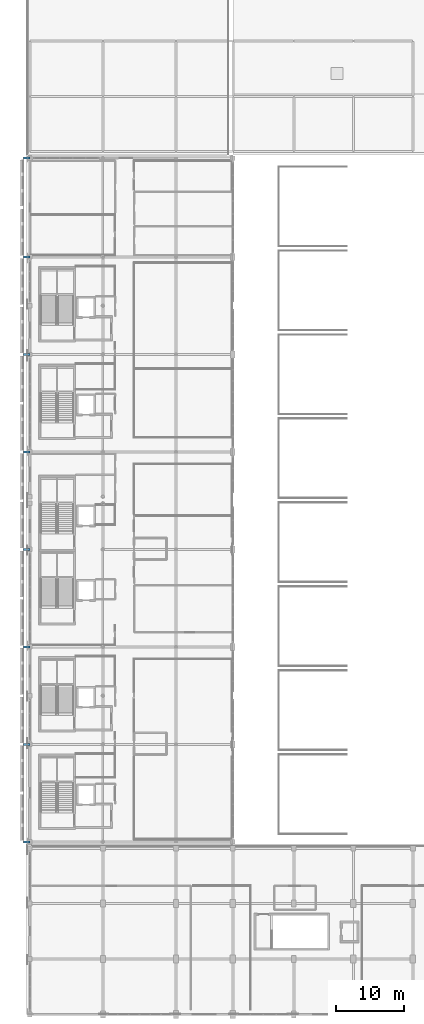
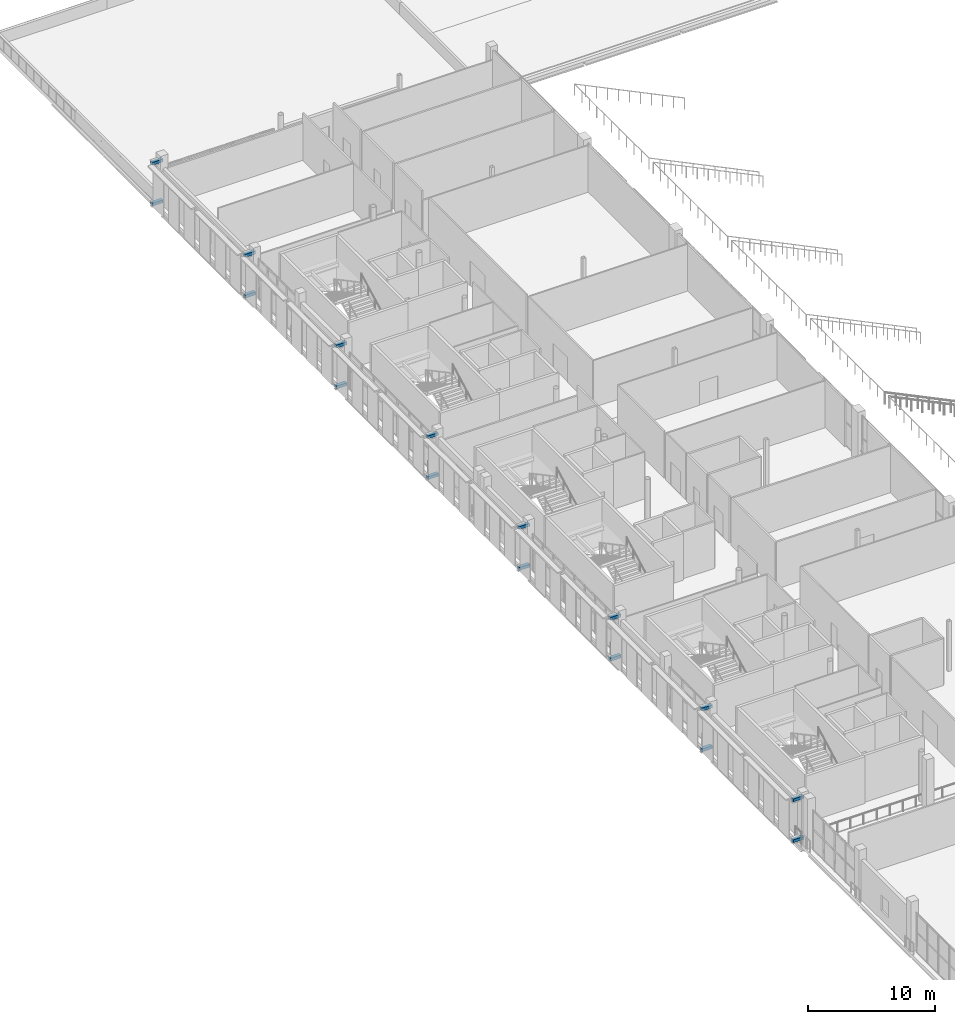
# One storey, part 75 of 104: 16 discrete accessories.
"""IFC4 building model written with IfcOpenShell, lengths in metres."""

from ifc_helpers import new_model, si_unit, direction, frame, origin, origin_2d, place, context, subcontext, project, spatial, rectangle, extrude, material, type_object, element, save


model = new_model("IFC4")

# Units and contexts
model_context = context("Model", 3, precision=1e-05, world=origin(), true_north=direction((0.0, 1.0)))
body_context = subcontext(model_context, "Body", "Model", "MODEL_VIEW")
ifc_project = project(units=[si_unit("LENGTHUNIT", "METRE"), si_unit("AREAUNIT", "SQUARE_METRE"), si_unit("VOLUMEUNIT", "CUBIC_METRE"), si_unit("PLANEANGLEUNIT", "RADIAN"), si_unit("MASSUNIT", "GRAM", prefix="KILO")], contexts=[model_context])

# Site, building, storey
site_placement = place(None, origin())
site = spatial("IfcSite", under=ifc_project, at=site_placement, CompositionType="ELEMENT")
building_placement = place(site_placement, origin())
building = spatial("IfcBuilding", under=site, at=building_placement, Name="Koshinbarg Plaza Stadium", CompositionType="ELEMENT")
storey_placement = place(building_placement, frame((0.0, 0.0, 19.800048828125)))
storey = spatial("IfcBuildingStorey", under=building, at=storey_placement, Name="L04", CompositionType="ELEMENT", Elevation=19.800048828125)

# Discrete accessories
ifc_material = material(Name="Galvanized steel facade support bracket", Category="steel")
discrete_accessory_type = type_object("IfcDiscreteAccessoryType", Name="ACC-BRACKET-01", PredefinedType="BRACKET", material=ifc_material)
for number, where, z_axis, x_axis, name in (
    (1, (24.1201171875, 25.5, 0.10986328125), (0.0, 0.0, 1.0), (1.0, 0.0, 0.0), "Outer screen support bracket W-L04-Y01"),
    (2, (24.1201171875, 25.5, 4.0400390625), (0.0, 0.0, 1.0), (1.0, 0.0, 0.0), "Outer screen support bracket W-L04-Y01"),
    (3, (24.1201171875, 39.89990234375, 0.10986328125), (0.0, 0.0, 1.0), (1.0, 0.0, 0.0), "Outer screen support bracket W-L04-Y02"),
    (4, (24.1201171875, 39.89990234375, 4.0400390625), (0.0, 0.0, 1.0), (1.0, 0.0, 0.0), "Outer screen support bracket W-L04-Y02"),
    (5, (24.1201171875, 54.300048828125, 0.10986328125), (0.0, 0.0, 1.0), (1.0, 0.0, 0.0), "Outer screen support bracket W-L04-Y03"),
    (6, (24.1201171875, 54.300048828125, 4.0400390625), (0.0, 0.0, 1.0), (1.0, 0.0, 0.0), "Outer screen support bracket W-L04-Y03"),
    (7, (24.1201171875, 68.699951171875, 0.10986328125), (0.0, 0.0, 1.0), (1.0, 0.0, 0.0), "Outer screen support bracket W-L04-Y04"),
    (8, (24.1201171875, 68.699951171875, 4.0400390625), (0.0, 0.0, 1.0), (1.0, 0.0, 0.0), "Outer screen support bracket W-L04-Y04"),
    (9, (24.1201171875, 83.10009765625, 0.10986328125), (0.0, 0.0, 1.0), (1.0, 0.0, 0.0), "Outer screen support bracket W-L04-Y05"),
    (10, (24.1201171875, 83.10009765625, 4.0400390625), (0.0, 0.0, 1.0), (1.0, 0.0, 0.0), "Outer screen support bracket W-L04-Y05"),
    (11, (24.1201171875, 97.5, 0.10986328125), (0.0, 0.0, 1.0), (1.0, 0.0, 0.0), "Outer screen support bracket W-L04-Y06"),
    (12, (24.1201171875, 97.5, 4.0400390625), (0.0, 0.0, 1.0), (1.0, 0.0, 0.0), "Outer screen support bracket W-L04-Y06"),
    (13, (24.1201171875, 111.89990234375, 0.10986328125), (0.0, 0.0, 1.0), (1.0, 0.0, 0.0), "Outer screen support bracket W-L04-Y07"),
    (14, (24.1201171875, 111.89990234375, 4.0400390625), (0.0, 0.0, 1.0), (1.0, 0.0, 0.0), "Outer screen support bracket W-L04-Y07"),
    (15, (24.1201171875, 126.5, 0.10986328125), (0.0, 0.0, 1.0), (1.0, 0.0, 0.0), "Outer screen support bracket W-L04-Y08"),
    (16, (24.1201171875, 126.5, 4.0400390625), (0.0, 0.0, 1.0), (1.0, 0.0, 0.0), "Outer screen support bracket W-L04-Y08"),
):
    element("IfcDiscreteAccessory", number, at=place(storey_placement, frame(where, z_axis=z_axis, x_axis=x_axis)), inside=storey, type_object=discrete_accessory_type, Name=name, PredefinedType="BRACKET", context=body_context, shape_type="SweptSolid", body=[
        extrude(rectangle(XDim=0.9599609375, YDim=0.300048828125, at=origin_2d()), origin(), (0.0, 0.0, 1.0), 0.280029296875),
    ])

save(model, "model.ifc")
